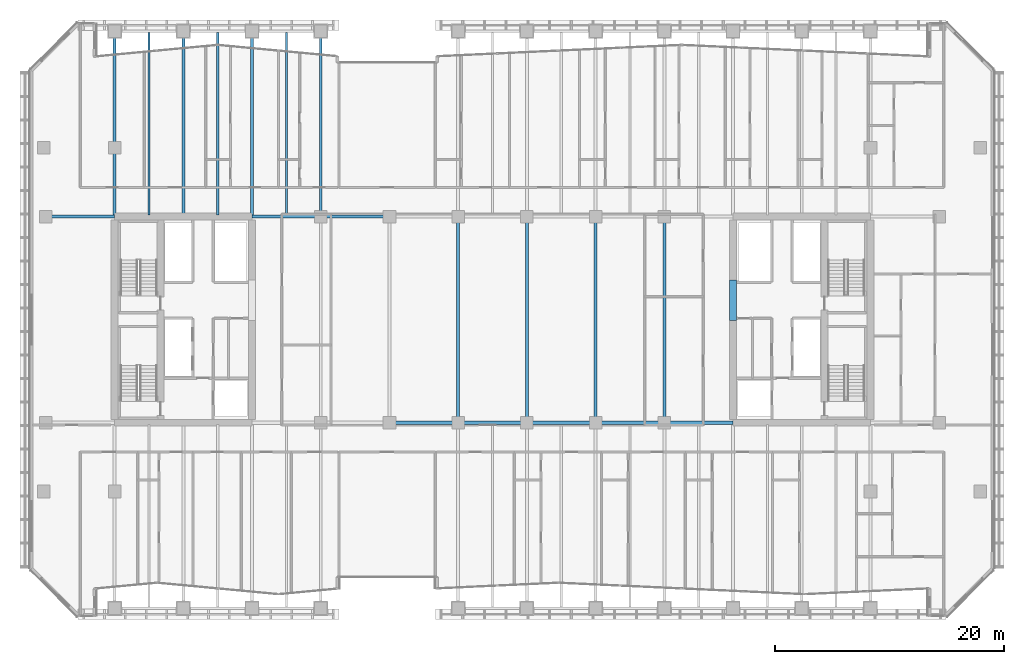
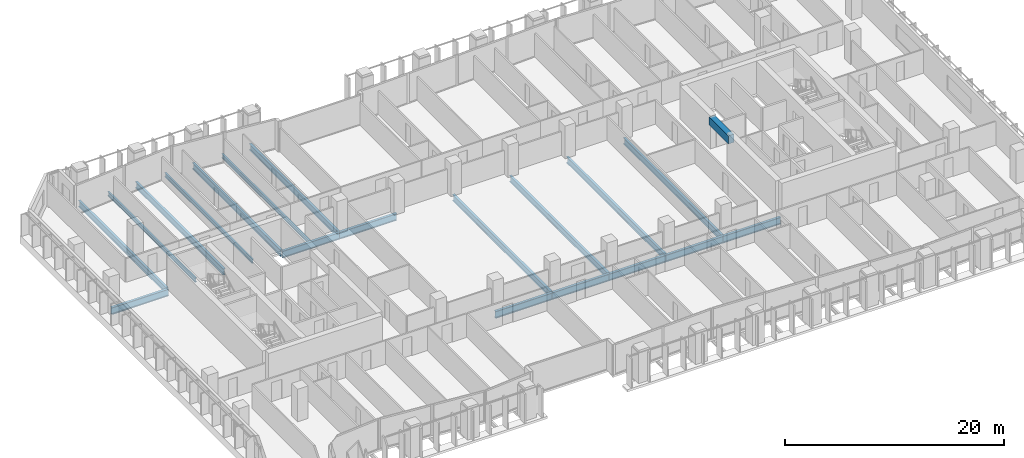
# One storey, part 8 of 32: 20 beams.
"""IFC4 building model written with IfcOpenShell, lengths in metres."""

from ifc_helpers import new_model, si_unit, direction, frame, origin, origin_2d, place, context, subcontext, project, spatial, rectangle, i_section, extrude, material, material_profile, profile_set, type_object, element, save


model = new_model("IFC4")

# Units and contexts
model_context = context("Model", 3, precision=1e-05, world=origin(), true_north=direction((0.0, 1.0)))
body_context = subcontext(model_context, "Body", "Model", "MODEL_VIEW")
ifc_project = project(units=[si_unit("LENGTHUNIT", "METRE"), si_unit("AREAUNIT", "SQUARE_METRE"), si_unit("VOLUMEUNIT", "CUBIC_METRE"), si_unit("PLANEANGLEUNIT", "RADIAN"), si_unit("MASSUNIT", "GRAM", prefix="KILO")], contexts=[model_context])

# Site, building, storey
site_placement = place(None, origin())
site = spatial("IfcSite", under=ifc_project, at=site_placement, CompositionType="ELEMENT")
building_placement = place(site_placement, origin())
building = spatial("IfcBuilding", under=site, at=building_placement, Name="Tanjung Sevakor Pilgrim Tower", CompositionType="ELEMENT")
storey_placement = place(building_placement, frame((0.0, 0.0, 62.3701171875)))
storey = spatial("IfcBuildingStorey", under=building, at=storey_placement, Name="L17", CompositionType="ELEMENT", Elevation=62.3701171875)

# Beams
ifc_material_1 = material(Name="Steel S355J2", Category="steel")
ifc_material_profile_1 = material_profile(ifc_material_1, i_section(OverallWidth=0.26806640625, OverallDepth=0.769775390625, WebThickness=0.015625, FlangeThickness=0.025390625, FilletRadius=0.0166015625, at=origin_2d()))
ifc_profile_set_1 = profile_set([ifc_material_profile_1], Name="Steel S355J2")
beam_type_1 = type_object("IfcBeamType", Name="BM-B-G1-UB_762x267x197", PredefinedType="BEAM", material=ifc_profile_set_1)
for number, where, z_axis, x_axis, name in (
    (1, (48.0, 24.60009765625, -0.60498046875), (1.0, 0.0, 0.0), (0.0, 1.0, 0.0), "L17 Primary Floor Girder MAIN Y246-04"),
    (2, (54.0, 24.60009765625, -0.60498046875), (1.0, 0.0, 0.0), (0.0, 1.0, 0.0), "L17 Primary Floor Girder MAIN Y246-05"),
    (3, (60.0, 24.60009765625, -0.60498046875), (1.0, 0.0, 0.0), (0.0, 1.0, 0.0), "L17 Primary Floor Girder MAIN Y246-06"),
    (4, (66.0, 24.60009765625, -0.60498046875), (1.0, 0.0, 0.0), (0.0, 1.0, 0.0), "L17 Primary Floor Girder MAIN Y246-07"),
    (5, (72.0, 24.60009765625, -0.60498046875), (1.0, 0.0, 0.0), (0.0, 1.0, 0.0), "L17 Primary Floor Girder MAIN Y246-08"),
    (6, (18.0, 42.60009765625, -0.60498046875), (1.0, 0.0, 0.0), (0.0, 1.0, 0.0), "L17 Primary Floor Girder MAIN Y426-01"),
    (7, (36.0, 42.60009765625, -0.60498046875), (1.0, 0.0, 0.0), (0.0, 1.0, 0.0), "L17 Primary Floor Girder MAIN Y426-02"),
    (8, (42.0, 42.60009765625, -0.60498046875), (1.0, 0.0, 0.0), (0.0, 1.0, 0.0), "L17 Primary Floor Girder MAIN Y426-03"),
):
    element("IfcBeam", number, at=place(storey_placement, frame(where, z_axis=z_axis, x_axis=x_axis)), inside=storey, type_object=beam_type_1, Name=name, PredefinedType="BEAM", context=body_context, shape_type="SweptSolid", body=[
        extrude(i_section(OverallWidth=0.26806640625, OverallDepth=0.769775390625, WebThickness=0.015625, FlangeThickness=0.025390625, FilletRadius=0.0166015625, at=origin_2d()), origin(), (0.0, 0.0, 1.0), 6.0),
    ])
ifc_material_2 = material(Name="Steel S355J2", Category="steel")
ifc_material_profile_2 = material_profile(ifc_material_2, i_section(OverallWidth=0.25439453125, OverallDepth=0.6875, WebThickness=0.01318359375, FlangeThickness=0.02099609375, FilletRadius=0.01513671875, at=origin_2d()))
ifc_profile_set_2 = profile_set([ifc_material_profile_2], Name="Steel S355J2")
beam_type_2 = type_object("IfcBeamType", Name="BM-B-G2-UB_686x254x152", PredefinedType="BEAM", material=ifc_profile_set_2)
for number, where, z_axis, x_axis, name in (
    (9, (24.0, 42.73388671875, -0.56396484375), (0.0, 1.0, 0.0), (-1.0, 0.0, 0.0), "L17 MAIN Girder 002"),
    (10, (30.0, 42.73388671875, -0.56396484375), (0.0, 1.0, 0.0), (-1.0, 0.0, 0.0), "L17 MAIN Girder 006"),
    (11, (36.0, 42.73388671875, -0.56396484375), (0.0, 1.0, 0.0), (-1.0, 0.0, 0.0), "L17 MAIN Girder 010"),
):
    element("IfcBeam", number, at=place(storey_placement, frame(where, z_axis=z_axis, x_axis=x_axis)), inside=storey, type_object=beam_type_2, Name=name, PredefinedType="BEAM", context=body_context, shape_type="SweptSolid", body=[
        extrude(i_section(OverallWidth=0.25439453125, OverallDepth=0.6875, WebThickness=0.01318359375, FlangeThickness=0.02099609375, FilletRadius=0.01513671875, at=origin_2d()), origin(), (0.0, 0.0, 1.0), 16.066162109375),
    ])
beam_1_placement = place(storey_placement, frame((42.0, 42.60009765625, -0.56396484375), z_axis=(0.0, 1.0, 0.0), x_axis=(-1.0, 0.0, 0.0)))
element("IfcBeam", 12, at=beam_1_placement, inside=storey, type_object=beam_type_2, Name="L17 MAIN Girder 015", PredefinedType="BEAM", context=body_context, shape_type="SweptSolid", body=[
    extrude(i_section(OverallWidth=0.25439453125, OverallDepth=0.6875, WebThickness=0.01318359375, FlangeThickness=0.02099609375, FilletRadius=0.01513671875, at=origin_2d()), origin(), (0.0, 0.0, 1.0), 16.199951171875),
])
for number, where, z_axis, x_axis, name in (
    (13, (54.0, 24.60009765625, -0.56396484375), (0.0, 1.0, 0.0), (-1.0, 0.0, 0.0), "L17 MAIN Girder 018"),
    (14, (60.0, 24.60009765625, -0.56396484375), (0.0, 1.0, 0.0), (-1.0, 0.0, 0.0), "L17 MAIN Girder 023"),
    (15, (66.0, 24.60009765625, -0.56396484375), (0.0, 1.0, 0.0), (-1.0, 0.0, 0.0), "L17 MAIN Girder 028"),
    (16, (72.0, 24.60009765625, -0.56396484375), (0.0, 1.0, 0.0), (-1.0, 0.0, 0.0), "L17 MAIN Girder 033"),
):
    element("IfcBeam", number, at=place(storey_placement, frame(where, z_axis=z_axis, x_axis=x_axis)), inside=storey, type_object=beam_type_2, Name=name, PredefinedType="BEAM", context=body_context, shape_type="SweptSolid", body=[
        extrude(i_section(OverallWidth=0.25439453125, OverallDepth=0.6875, WebThickness=0.01318359375, FlangeThickness=0.02099609375, FilletRadius=0.01513671875, at=origin_2d()), origin(), (0.0, 0.0, 1.0), 18.0),
    ])
ifc_material_3 = material(Name="Steel S355J2", Category="steel")
ifc_material_profile_3 = material_profile(ifc_material_3, i_section(OverallWidth=0.19140625, OverallDepth=0.4599609375, WebThickness=0.010009765625, FlangeThickness=0.01611328125, FilletRadius=0.01025390625, at=origin_2d()))
ifc_profile_set_3 = profile_set([ifc_material_profile_3], Name="Steel S355J2")
beam_type_3 = type_object("IfcBeamType", Name="BM-B-J2-UB_457x191x82", PredefinedType="JOIST", material=ifc_profile_set_3)
for number, where, z_axis, x_axis, name in (
    (17, (27.0, 42.73388671875, -0.4501953125), (0.0, 1.0, 0.0), (-1.0, 0.0, 0.0), "L17 MAIN Joist 004"),
    (18, (33.0, 42.73388671875, -0.4501953125), (0.0, 1.0, 0.0), (-1.0, 0.0, 0.0), "L17 MAIN Joist 008"),
    (19, (39.0, 42.73388671875, -0.4501953125), (0.0, 1.0, 0.0), (-1.0, 0.0, 0.0), "L17 MAIN Joist 012"),
):
    element("IfcBeam", number, at=place(storey_placement, frame(where, z_axis=z_axis, x_axis=x_axis)), inside=storey, type_object=beam_type_3, Name=name, PredefinedType="JOIST", context=body_context, shape_type="SweptSolid", body=[
        extrude(i_section(OverallWidth=0.19140625, OverallDepth=0.4599609375, WebThickness=0.010009765625, FlangeThickness=0.01611328125, FilletRadius=0.01025390625, at=origin_2d()), origin(), (0.0, 0.0, 1.0), 15.966064453125),
    ])
ifc_material_4 = material(Name="Concrete C60/75", Category="concrete")
ifc_material_profile_4 = material_profile(ifc_material_4, rectangle(XDim=0.60009765625, YDim=0.89990234375, at=origin_2d()))
ifc_profile_set_4 = profile_set([ifc_material_profile_4], Name="Concrete C60/75")
beam_type_4 = type_object("IfcBeamType", Name="BM-B-LN1-RC-BM_600x900", PredefinedType="LINTEL", material=ifc_profile_set_4)
beam_2_placement = place(storey_placement, frame((78.0, 33.550048828125, 2.9599609375), z_axis=(0.0, 1.0, 0.0), x_axis=(-1.0, 0.0, 0.0)))
element("IfcBeam", 20, at=beam_2_placement, inside=storey, type_object=beam_type_4, Name="L17 E Core Coupling Lintel", PredefinedType="LINTEL", context=body_context, shape_type="SweptSolid", body=[
    extrude(rectangle(XDim=0.60009765625, YDim=0.89990234375, at=origin_2d()), origin(), (0.0, 0.0, 1.0), 3.5),
])

save(model, "model.ifc")
